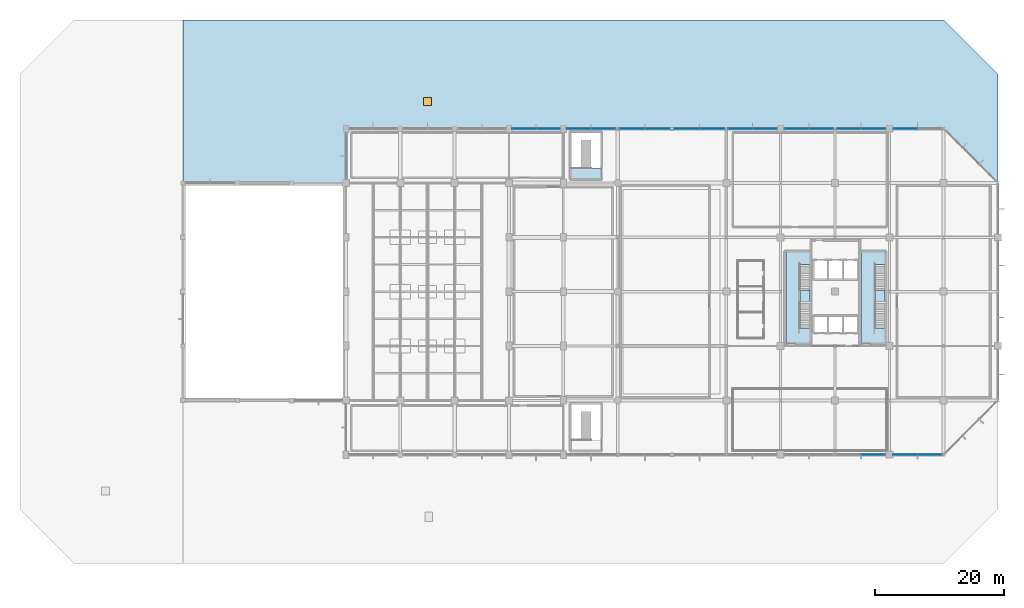
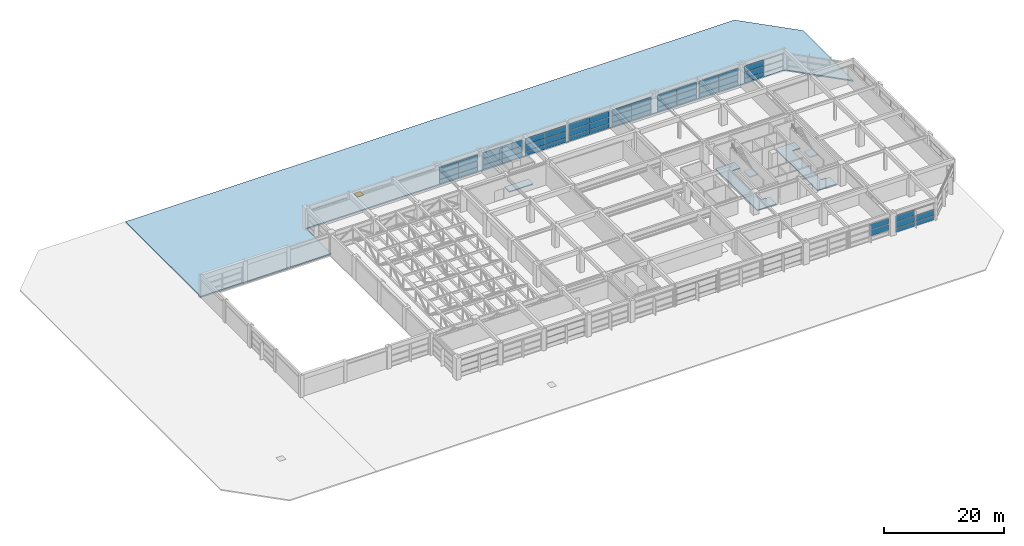
# One storey, part 38 of 47: 52 plates, 6 slabs, 1 door, 1 opening, 12 elements without a shape of their own.
"""IFC4 building model written with IfcOpenShell, lengths in metres."""

from ifc_helpers import new_model, si_unit, direction, frame, origin, origin_2d, place, context, subcontext, project, spatial, polyline, rectangle, outline, extrude, material, layer, layer_set, type_object, element, fill, aggregate, save


model = new_model("IFC4")

# Units and contexts
model_context = context("Model", 3, precision=1e-05, world=origin(), true_north=direction((0.0, 1.0)))
body_context = subcontext(model_context, "Body", "Model", "MODEL_VIEW")
ifc_project = project(units=[si_unit("LENGTHUNIT", "METRE"), si_unit("AREAUNIT", "SQUARE_METRE"), si_unit("VOLUMEUNIT", "CUBIC_METRE"), si_unit("PLANEANGLEUNIT", "RADIAN"), si_unit("MASSUNIT", "GRAM", prefix="KILO")], contexts=[model_context])

# Site, building, storey
site_placement = place(None, origin())
site = spatial("IfcSite", under=ifc_project, at=site_placement, CompositionType="ELEMENT")
building_placement = place(site_placement, origin())
building = spatial("IfcBuilding", under=site, at=building_placement, Name="Xuanlan Plaza Opera House", CompositionType="ELEMENT")
storey_placement = place(building_placement, frame((0.0, 0.0, 23.39990234375)))
storey = spatial("IfcBuildingStorey", under=building, at=storey_placement, Name="L05", CompositionType="ELEMENT", Elevation=23.39990234375)

# Curtain wall, plates
ifc_material_1 = material(Name="Anodised Aluminium 6063-T6 and Low-E Glass", Category="aluminium")
curtain_wall_type_1 = type_object("IfcCurtainWallType", Name="ENV-CW-CW-02", PredefinedType="USERDEFINED", material=ifc_material_1)
curtain_wall_1_placement = place(storey_placement, origin())
curtain_wall_1 = element("IfcCurtainWall", 1, at=curtain_wall_1_placement, inside=storey, type_object=curtain_wall_type_1, Name="Unitised Curtain Wall L05-023", ObjectType="UNITISED CURTAIN WALL", PredefinedType="USERDEFINED")
ifc_material_2 = material(Name="Laminated Acoustic Double Glazing", Category="glass")
ifc_layer_1 = layer(ifc_material_2, 0.028076171875)
ifc_layer_set_1 = layer_set([ifc_layer_1], Name="Laminated Acoustic Double Glazing")
plate_type_1 = type_object("IfcPlateType", Name="ENV-CWP-01", PredefinedType="CURTAIN_PANEL", material=ifc_layer_set_1)
plate_1_placement = place(storey_placement, frame((148.705078125, 84.0, 0.0751953125), z_axis=(0.0, 0.0, 1.0), x_axis=(-1.0, 0.0, 0.0)))
plate_1 = element("IfcPlate", 2, at=plate_1_placement, type_object=plate_type_1, Name="CW-02 panel 1.1", PredefinedType="CURTAIN_PANEL", context=body_context, shape_type="SweptSolid", body=[
    extrude(rectangle(XDim=3.669921875, YDim=0.028076171875, at=origin_2d()), origin(), (0.0, 0.0, 1.0), 0.83740234375),
])
plate_2_placement = place(storey_placement, frame((148.705078125, 84.0, 0.987548828125), z_axis=(0.0, 0.0, 1.0), x_axis=(-1.0, 0.0, 0.0)))
plate_2 = element("IfcPlate", 3, at=plate_2_placement, type_object=plate_type_1, Name="CW-02 panel 1.2", PredefinedType="CURTAIN_PANEL", context=body_context, shape_type="SweptSolid", body=[
    extrude(rectangle(XDim=3.669921875, YDim=0.028076171875, at=origin_2d()), origin(), (0.0, 0.0, 1.0), 1.22509765625),
])
plate_3_placement = place(storey_placement, frame((148.705078125, 84.0, 2.28759765625), z_axis=(0.0, 0.0, 1.0), x_axis=(-1.0, 0.0, 0.0)))
plate_3 = element("IfcPlate", 4, at=plate_3_placement, type_object=plate_type_1, Name="CW-02 panel 1.3", PredefinedType="CURTAIN_PANEL", context=body_context, shape_type="SweptSolid", body=[
    extrude(rectangle(XDim=3.669921875, YDim=0.028076171875, at=origin_2d()), origin(), (0.0, 0.0, 1.0), 1.177490234375),
])
plate_4_placement = place(storey_placement, frame((144.945068359375, 84.0, 0.0751953125), z_axis=(0.0, 0.0, 1.0), x_axis=(-1.0, 0.0, 0.0)))
plate_4 = element("IfcPlate", 5, at=plate_4_placement, type_object=plate_type_1, Name="CW-02 panel 2.1", PredefinedType="CURTAIN_PANEL", context=body_context, shape_type="SweptSolid", body=[
    extrude(rectangle(XDim=3.669921875, YDim=0.028076171875, at=origin_2d()), origin(), (0.0, 0.0, 1.0), 0.83740234375),
])
plate_5_placement = place(storey_placement, frame((144.945068359375, 84.0, 0.987548828125), z_axis=(0.0, 0.0, 1.0), x_axis=(-1.0, 0.0, 0.0)))
plate_5 = element("IfcPlate", 6, at=plate_5_placement, type_object=plate_type_1, Name="CW-02 panel 2.2", PredefinedType="CURTAIN_PANEL", context=body_context, shape_type="SweptSolid", body=[
    extrude(rectangle(XDim=3.669921875, YDim=0.028076171875, at=origin_2d()), origin(), (0.0, 0.0, 1.0), 1.22509765625),
])
plate_6_placement = place(storey_placement, frame((144.945068359375, 84.0, 2.28759765625), z_axis=(0.0, 0.0, 1.0), x_axis=(-1.0, 0.0, 0.0)))
plate_6 = element("IfcPlate", 7, at=plate_6_placement, type_object=plate_type_1, Name="CW-02 panel 2.3", PredefinedType="CURTAIN_PANEL", context=body_context, shape_type="SweptSolid", body=[
    extrude(rectangle(XDim=3.669921875, YDim=0.028076171875, at=origin_2d()), origin(), (0.0, 0.0, 1.0), 1.177490234375),
])
aggregate(curtain_wall_1, [plate_1, plate_2, plate_3, plate_4, plate_5, plate_6])

curtain_wall_type_2 = type_object("IfcCurtainWallType", Name="ENV-CW-CW-05", PredefinedType="USERDEFINED", material=ifc_material_1)
curtain_wall_2_placement = place(storey_placement, origin())
curtain_wall_2 = element("IfcCurtainWall", 8, at=curtain_wall_2_placement, inside=storey, type_object=curtain_wall_type_2, Name="Acoustic Glazed Wall L05-028", ObjectType="ACOUSTIC GLAZED WALL", PredefinedType="USERDEFINED")
plate_7_placement = place(storey_placement, frame((106.989501953125, 84.0, 0.0751953125), z_axis=(0.0, 0.0, 1.0), x_axis=(-1.0, 0.0, 0.0)))
plate_7 = element("IfcPlate", 9, at=plate_7_placement, type_object=plate_type_1, Name="CW-05 panel 1.1", PredefinedType="CURTAIN_PANEL", context=body_context, shape_type="SweptSolid", body=[
    extrude(rectangle(XDim=3.693115234375, YDim=0.028076171875, at=origin_2d()), origin(), (0.0, 0.0, 1.0), 0.83740234375),
])
plate_8_placement = place(storey_placement, frame((106.989501953125, 84.0, 0.987548828125), z_axis=(0.0, 0.0, 1.0), x_axis=(-1.0, 0.0, 0.0)))
plate_8 = element("IfcPlate", 10, at=plate_8_placement, type_object=plate_type_1, Name="CW-05 panel 1.2", PredefinedType="CURTAIN_PANEL", context=body_context, shape_type="SweptSolid", body=[
    extrude(rectangle(XDim=3.693115234375, YDim=0.028076171875, at=origin_2d()), origin(), (0.0, 0.0, 1.0), 1.22509765625),
])
plate_9_placement = place(storey_placement, frame((106.989501953125, 84.0, 2.28759765625), z_axis=(0.0, 0.0, 1.0), x_axis=(-1.0, 0.0, 0.0)))
plate_9 = element("IfcPlate", 11, at=plate_9_placement, type_object=plate_type_1, Name="CW-05 panel 1.3", PredefinedType="CURTAIN_PANEL", context=body_context, shape_type="SweptSolid", body=[
    extrude(rectangle(XDim=3.693115234375, YDim=0.028076171875, at=origin_2d()), origin(), (0.0, 0.0, 1.0), 1.177490234375),
])
plate_10_placement = place(storey_placement, frame((103.20654296875, 84.0, 0.0751953125), z_axis=(0.0, 0.0, 1.0), x_axis=(-1.0, 0.0, 0.0)))
plate_10 = element("IfcPlate", 12, at=plate_10_placement, type_object=plate_type_1, Name="CW-05 panel 2.1", PredefinedType="CURTAIN_PANEL", context=body_context, shape_type="SweptSolid", body=[
    extrude(rectangle(XDim=3.693115234375, YDim=0.028076171875, at=origin_2d()), origin(), (0.0, 0.0, 1.0), 0.83740234375),
])
plate_11_placement = place(storey_placement, frame((103.20654296875, 84.0, 0.987548828125), z_axis=(0.0, 0.0, 1.0), x_axis=(-1.0, 0.0, 0.0)))
plate_11 = element("IfcPlate", 13, at=plate_11_placement, type_object=plate_type_1, Name="CW-05 panel 2.2", PredefinedType="CURTAIN_PANEL", context=body_context, shape_type="SweptSolid", body=[
    extrude(rectangle(XDim=3.693115234375, YDim=0.028076171875, at=origin_2d()), origin(), (0.0, 0.0, 1.0), 1.22509765625),
])
plate_12_placement = place(storey_placement, frame((103.20654296875, 84.0, 2.28759765625), z_axis=(0.0, 0.0, 1.0), x_axis=(-1.0, 0.0, 0.0)))
plate_12 = element("IfcPlate", 14, at=plate_12_placement, type_object=plate_type_1, Name="CW-05 panel 2.3", PredefinedType="CURTAIN_PANEL", context=body_context, shape_type="SweptSolid", body=[
    extrude(rectangle(XDim=3.693115234375, YDim=0.028076171875, at=origin_2d()), origin(), (0.0, 0.0, 1.0), 1.177490234375),
])
aggregate(curtain_wall_2, [plate_7, plate_8, plate_9, plate_10, plate_11, plate_12])

curtain_wall_3_placement = place(storey_placement, origin())
curtain_wall_3 = element("IfcCurtainWall", 15, at=curtain_wall_3_placement, inside=storey, type_object=curtain_wall_type_1, Name="Unitised Curtain Wall L05-015", ObjectType="UNITISED CURTAIN WALL", PredefinedType="USERDEFINED")
ifc_layer_2 = layer(ifc_material_2, 0.031982421875)
ifc_layer_set_2 = layer_set([ifc_layer_2], Name="Laminated Acoustic Double Glazing")
plate_type_2 = type_object("IfcPlateType", Name="ENV-CWP-02", PredefinedType="CURTAIN_PANEL", material=ifc_layer_set_2)
plate_13_placement = place(storey_placement, frame((153.68994140625, 33.60009765625, 0.0703125), z_axis=(0.0, 0.0, 1.0), x_axis=(1.0, 0.0, 0.0)))
plate_13 = element("IfcPlate", 16, at=plate_13_placement, type_object=plate_type_2, Name="CW-02 panel 1.1", PredefinedType="CURTAIN_PANEL", context=body_context, shape_type="SweptSolid", body=[
    extrude(rectangle(XDim=3.699951171875, YDim=0.031982421875, at=origin_2d()), origin(), (0.0, 0.0, 1.0), 0.844970703125),
])
plate_14_placement = place(storey_placement, frame((153.68994140625, 33.60009765625, 0.985107421875), z_axis=(0.0, 0.0, 1.0), x_axis=(1.0, 0.0, 0.0)))
plate_14 = element("IfcPlate", 17, at=plate_14_placement, type_object=plate_type_2, Name="CW-02 panel 1.2", PredefinedType="CURTAIN_PANEL", context=body_context, shape_type="SweptSolid", body=[
    extrude(rectangle(XDim=3.699951171875, YDim=0.031982421875, at=origin_2d()), origin(), (0.0, 0.0, 1.0), 1.22998046875),
])
plate_15_placement = place(storey_placement, frame((153.68994140625, 33.60009765625, 2.28515625), z_axis=(0.0, 0.0, 1.0), x_axis=(1.0, 0.0, 0.0)))
plate_15 = element("IfcPlate", 18, at=plate_15_placement, type_object=plate_type_2, Name="CW-02 panel 1.3", PredefinedType="CURTAIN_PANEL", context=body_context, shape_type="SweptSolid", body=[
    extrude(rectangle(XDim=3.699951171875, YDim=0.031982421875, at=origin_2d()), origin(), (0.0, 0.0, 1.0), 1.18505859375),
])
plate_16_placement = place(storey_placement, frame((157.4599609375, 33.60009765625, 0.0703125), z_axis=(0.0, 0.0, 1.0), x_axis=(1.0, 0.0, 0.0)))
plate_16 = element("IfcPlate", 19, at=plate_16_placement, type_object=plate_type_2, Name="CW-02 panel 2.1", PredefinedType="CURTAIN_PANEL", context=body_context, shape_type="SweptSolid", body=[
    extrude(rectangle(XDim=3.699951171875, YDim=0.031982421875, at=origin_2d()), origin(), (0.0, 0.0, 1.0), 0.844970703125),
])
plate_17_placement = place(storey_placement, frame((157.4599609375, 33.60009765625, 0.985107421875), z_axis=(0.0, 0.0, 1.0), x_axis=(1.0, 0.0, 0.0)))
plate_17 = element("IfcPlate", 20, at=plate_17_placement, type_object=plate_type_2, Name="CW-02 panel 2.2", PredefinedType="CURTAIN_PANEL", context=body_context, shape_type="SweptSolid", body=[
    extrude(rectangle(XDim=3.699951171875, YDim=0.031982421875, at=origin_2d()), origin(), (0.0, 0.0, 1.0), 1.22998046875),
])
aggregate(curtain_wall_3, [plate_13, plate_14, plate_15, plate_16, plate_17])

curtain_wall_type_3 = type_object("IfcCurtainWallType", Name="ENV-CW-CW-06", PredefinedType="USERDEFINED", material=ifc_material_1)
curtain_wall_4_placement = place(storey_placement, origin())
curtain_wall_4 = element("IfcCurtainWall", 21, at=curtain_wall_4_placement, inside=storey, type_object=curtain_wall_type_3, Name="Acoustic Glazed Wall L05-025", ObjectType="ACOUSTIC GLAZED WALL", PredefinedType="USERDEFINED")
plate_18_placement = place(storey_placement, frame((131.909912109375, 84.0, 0.0703125), z_axis=(0.0, 0.0, 1.0), x_axis=(-1.0, 0.0, 0.0)))
plate_18 = element("IfcPlate", 22, at=plate_18_placement, type_object=plate_type_2, Name="CW-06 panel 1.1", PredefinedType="CURTAIN_PANEL", context=body_context, shape_type="SweptSolid", body=[
    extrude(rectangle(XDim=3.699951171875, YDim=0.031982421875, at=origin_2d()), origin(), (0.0, 0.0, 1.0), 0.844970703125),
])
plate_19_placement = place(storey_placement, frame((131.909912109375, 84.0, 0.985107421875), z_axis=(0.0, 0.0, 1.0), x_axis=(-1.0, 0.0, 0.0)))
plate_19 = element("IfcPlate", 23, at=plate_19_placement, type_object=plate_type_2, Name="CW-06 panel 1.2", PredefinedType="CURTAIN_PANEL", context=body_context, shape_type="SweptSolid", body=[
    extrude(rectangle(XDim=3.699951171875, YDim=0.031982421875, at=origin_2d()), origin(), (0.0, 0.0, 1.0), 1.22998046875),
])
plate_20_placement = place(storey_placement, frame((131.909912109375, 84.0, 2.28515625), z_axis=(0.0, 0.0, 1.0), x_axis=(-1.0, 0.0, 0.0)))
plate_20 = element("IfcPlate", 24, at=plate_20_placement, type_object=plate_type_2, Name="CW-06 panel 1.3", PredefinedType="CURTAIN_PANEL", context=body_context, shape_type="SweptSolid", body=[
    extrude(rectangle(XDim=3.699951171875, YDim=0.031982421875, at=origin_2d()), origin(), (0.0, 0.0, 1.0), 1.18505859375),
])
plate_21_placement = place(storey_placement, frame((128.139892578125, 84.0, 0.0703125), z_axis=(0.0, 0.0, 1.0), x_axis=(-1.0, 0.0, 0.0)))
plate_21 = element("IfcPlate", 25, at=plate_21_placement, type_object=plate_type_2, Name="CW-06 panel 2.1", PredefinedType="CURTAIN_PANEL", context=body_context, shape_type="SweptSolid", body=[
    extrude(rectangle(XDim=3.699951171875, YDim=0.031982421875, at=origin_2d()), origin(), (0.0, 0.0, 1.0), 0.844970703125),
])
plate_22_placement = place(storey_placement, frame((128.139892578125, 84.0, 0.985107421875), z_axis=(0.0, 0.0, 1.0), x_axis=(-1.0, 0.0, 0.0)))
plate_22 = element("IfcPlate", 26, at=plate_22_placement, type_object=plate_type_2, Name="CW-06 panel 2.2", PredefinedType="CURTAIN_PANEL", context=body_context, shape_type="SweptSolid", body=[
    extrude(rectangle(XDim=3.699951171875, YDim=0.031982421875, at=origin_2d()), origin(), (0.0, 0.0, 1.0), 1.22998046875),
])
plate_23_placement = place(storey_placement, frame((128.139892578125, 84.0, 2.28515625), z_axis=(0.0, 0.0, 1.0), x_axis=(-1.0, 0.0, 0.0)))
plate_23 = element("IfcPlate", 27, at=plate_23_placement, type_object=plate_type_2, Name="CW-06 panel 2.3", PredefinedType="CURTAIN_PANEL", context=body_context, shape_type="SweptSolid", body=[
    extrude(rectangle(XDim=3.699951171875, YDim=0.031982421875, at=origin_2d()), origin(), (0.0, 0.0, 1.0), 1.18505859375),
])
aggregate(curtain_wall_4, [plate_18, plate_19, plate_20, plate_21, plate_22, plate_23])

curtain_wall_type_4 = type_object("IfcCurtainWallType", Name="ENV-CW-CW-01", PredefinedType="USERDEFINED", material=ifc_material_1)
curtain_wall_5_placement = place(storey_placement, origin())
curtain_wall_5 = element("IfcCurtainWall", 28, at=curtain_wall_5_placement, inside=storey, type_object=curtain_wall_type_4, Name="Unitised Curtain Wall L05-022", ObjectType="UNITISED CURTAIN WALL", PredefinedType="USERDEFINED")
ifc_layer_3 = layer(ifc_material_2, 0.035888671875)
ifc_layer_set_3 = layer_set([ifc_layer_3], Name="Laminated Acoustic Double Glazing")
plate_type_3 = type_object("IfcPlateType", Name="ENV-CWP-03", PredefinedType="CURTAIN_PANEL", material=ifc_layer_set_3)
plate_24_placement = place(storey_placement, frame((153.6923828125, 84.0, 0.065185546875), z_axis=(0.0, 0.0, 1.0), x_axis=(-1.0, 0.0, 0.0)))
plate_24 = element("IfcPlate", 29, at=plate_24_placement, type_object=plate_type_3, Name="CW-01 panel 2.1", PredefinedType="CURTAIN_PANEL", context=body_context, shape_type="SweptSolid", body=[
    extrude(rectangle(XDim=3.68505859375, YDim=0.035888671875, at=origin_2d()), origin(), (0.0, 0.0, 1.0), 0.8525390625),
])
plate_25_placement = place(storey_placement, frame((153.6923828125, 84.0, 0.982421875), z_axis=(0.0, 0.0, 1.0), x_axis=(-1.0, 0.0, 0.0)))
plate_25 = element("IfcPlate", 30, at=plate_25_placement, type_object=plate_type_3, Name="CW-01 panel 2.2", PredefinedType="CURTAIN_PANEL", context=body_context, shape_type="SweptSolid", body=[
    extrude(rectangle(XDim=3.68505859375, YDim=0.035888671875, at=origin_2d()), origin(), (0.0, 0.0, 1.0), 1.235107421875),
])
plate_26_placement = place(storey_placement, frame((153.6923828125, 84.0, 2.28271484375), z_axis=(0.0, 0.0, 1.0), x_axis=(-1.0, 0.0, 0.0)))
plate_26 = element("IfcPlate", 31, at=plate_26_placement, type_object=plate_type_3, Name="CW-01 panel 2.3", PredefinedType="CURTAIN_PANEL", context=body_context, shape_type="SweptSolid", body=[
    extrude(rectangle(XDim=3.68505859375, YDim=0.035888671875, at=origin_2d()), origin(), (0.0, 0.0, 1.0), 1.1923828125),
])
aggregate(curtain_wall_5, [plate_24, plate_25, plate_26])

curtain_wall_6_placement = place(storey_placement, origin())
curtain_wall_6 = element("IfcCurtainWall", 32, at=curtain_wall_6_placement, inside=storey, type_object=curtain_wall_type_3, Name="Acoustic Glazed Wall L05-027", ObjectType="ACOUSTIC GLAZED WALL", PredefinedType="USERDEFINED")
plate_27_placement = place(storey_placement, frame((115.343017578125, 84.0, 0.065185546875), z_axis=(0.0, 0.0, 1.0), x_axis=(-1.0, 0.0, 0.0)))
plate_27 = element("IfcPlate", 33, at=plate_27_placement, type_object=plate_type_3, Name="CW-06 panel 1.1", PredefinedType="CURTAIN_PANEL", context=body_context, shape_type="SweptSolid", body=[
    extrude(rectangle(XDim=3.805908203125, YDim=0.035888671875, at=origin_2d()), origin(), (0.0, 0.0, 1.0), 0.8525390625),
])
plate_28_placement = place(storey_placement, frame((115.343017578125, 84.0, 0.982421875), z_axis=(0.0, 0.0, 1.0), x_axis=(-1.0, 0.0, 0.0)))
plate_28 = element("IfcPlate", 34, at=plate_28_placement, type_object=plate_type_3, Name="CW-06 panel 1.2", PredefinedType="CURTAIN_PANEL", context=body_context, shape_type="SweptSolid", body=[
    extrude(rectangle(XDim=3.805908203125, YDim=0.035888671875, at=origin_2d()), origin(), (0.0, 0.0, 1.0), 1.235107421875),
])
plate_29_placement = place(storey_placement, frame((115.343017578125, 84.0, 2.28271484375), z_axis=(0.0, 0.0, 1.0), x_axis=(-1.0, 0.0, 0.0)))
plate_29 = element("IfcPlate", 35, at=plate_29_placement, type_object=plate_type_3, Name="CW-06 panel 1.3", PredefinedType="CURTAIN_PANEL", context=body_context, shape_type="SweptSolid", body=[
    extrude(rectangle(XDim=3.805908203125, YDim=0.035888671875, at=origin_2d()), origin(), (0.0, 0.0, 1.0), 1.1923828125),
])
plate_30_placement = place(storey_placement, frame((111.45703125, 84.0, 0.065185546875), z_axis=(0.0, 0.0, 1.0), x_axis=(-1.0, 0.0, 0.0)))
plate_30 = element("IfcPlate", 36, at=plate_30_placement, type_object=plate_type_3, Name="CW-06 panel 2.1", PredefinedType="CURTAIN_PANEL", context=body_context, shape_type="SweptSolid", body=[
    extrude(rectangle(XDim=3.805908203125, YDim=0.035888671875, at=origin_2d()), origin(), (0.0, 0.0, 1.0), 0.8525390625),
])
plate_31_placement = place(storey_placement, frame((111.45703125, 84.0, 0.982421875), z_axis=(0.0, 0.0, 1.0), x_axis=(-1.0, 0.0, 0.0)))
plate_31 = element("IfcPlate", 37, at=plate_31_placement, type_object=plate_type_3, Name="CW-06 panel 2.2", PredefinedType="CURTAIN_PANEL", context=body_context, shape_type="SweptSolid", body=[
    extrude(rectangle(XDim=3.805908203125, YDim=0.035888671875, at=origin_2d()), origin(), (0.0, 0.0, 1.0), 1.235107421875),
])
plate_32_placement = place(storey_placement, frame((111.45703125, 84.0, 2.28271484375), z_axis=(0.0, 0.0, 1.0), x_axis=(-1.0, 0.0, 0.0)))
plate_32 = element("IfcPlate", 38, at=plate_32_placement, type_object=plate_type_3, Name="CW-06 panel 2.3", PredefinedType="CURTAIN_PANEL", context=body_context, shape_type="SweptSolid", body=[
    extrude(rectangle(XDim=3.805908203125, YDim=0.035888671875, at=origin_2d()), origin(), (0.0, 0.0, 1.0), 1.1923828125),
])
aggregate(curtain_wall_6, [plate_27, plate_28, plate_29, plate_30, plate_31, plate_32])

curtain_wall_7_placement = place(storey_placement, origin())
curtain_wall_7 = element("IfcCurtainWall", 39, at=curtain_wall_7_placement, inside=storey, type_object=curtain_wall_type_4, Name="Unitised Curtain Wall L05-014", ObjectType="UNITISED CURTAIN WALL", PredefinedType="USERDEFINED")
ifc_layer_4 = layer(ifc_material_2, 0.0400390625)
ifc_layer_set_4 = layer_set([ifc_layer_4], Name="Laminated Acoustic Double Glazing")
plate_type_4 = type_object("IfcPlateType", Name="ENV-CWP-04", PredefinedType="CURTAIN_PANEL", material=ifc_layer_set_4)
plate_33_placement = place(storey_placement, frame((148.711181640625, 33.60009765625, 0.9951171875), z_axis=(0.0, 0.0, 1.0), x_axis=(1.0, 0.0, 0.0)))
plate_33 = element("IfcPlate", 40, at=plate_33_placement, type_object=plate_type_4, Name="CW-01 panel 2.2", PredefinedType="CURTAIN_PANEL", context=body_context, shape_type="SweptSolid", body=[
    extrude(rectangle(XDim=3.70751953125, YDim=0.0400390625, at=origin_2d()), origin(), (0.0, 0.0, 1.0), 1.2099609375),
])
plate_34_placement = place(storey_placement, frame((148.711181640625, 33.60009765625, 2.294921875), z_axis=(0.0, 0.0, 1.0), x_axis=(1.0, 0.0, 0.0)))
plate_34 = element("IfcPlate", 41, at=plate_34_placement, type_object=plate_type_4, Name="CW-01 panel 2.3", PredefinedType="CURTAIN_PANEL", context=body_context, shape_type="SweptSolid", body=[
    extrude(rectangle(XDim=3.70751953125, YDim=0.0400390625, at=origin_2d()), origin(), (0.0, 0.0, 1.0), 1.155029296875),
])
aggregate(curtain_wall_7, [plate_33, plate_34])

curtain_wall_type_5 = type_object("IfcCurtainWallType", Name="ENV-CW-CW-03", PredefinedType="USERDEFINED", material=ifc_material_1)
curtain_wall_8_placement = place(storey_placement, origin())
curtain_wall_8 = element("IfcCurtainWall", 42, at=curtain_wall_8_placement, inside=storey, type_object=curtain_wall_type_5, Name="Unitised Curtain Wall L05-024", ObjectType="UNITISED CURTAIN WALL", PredefinedType="USERDEFINED")
plate_35_placement = place(storey_placement, frame((140.6611328125, 84.0, 0.090087890625), z_axis=(0.0, 0.0, 1.0), x_axis=(-1.0, 0.0, 0.0)))
plate_35 = element("IfcPlate", 43, at=plate_35_placement, type_object=plate_type_4, Name="CW-03 panel 1.1", PredefinedType="CURTAIN_PANEL", context=body_context, shape_type="SweptSolid", body=[
    extrude(rectangle(XDim=3.70751953125, YDim=0.0400390625, at=origin_2d()), origin(), (0.0, 0.0, 1.0), 0.81494140625),
])
plate_36_placement = place(storey_placement, frame((140.6611328125, 84.0, 0.9951171875), z_axis=(0.0, 0.0, 1.0), x_axis=(-1.0, 0.0, 0.0)))
plate_36 = element("IfcPlate", 44, at=plate_36_placement, type_object=plate_type_4, Name="CW-03 panel 1.2", PredefinedType="CURTAIN_PANEL", context=body_context, shape_type="SweptSolid", body=[
    extrude(rectangle(XDim=3.70751953125, YDim=0.0400390625, at=origin_2d()), origin(), (0.0, 0.0, 1.0), 1.2099609375),
])
plate_37_placement = place(storey_placement, frame((140.6611328125, 84.0, 2.294921875), z_axis=(0.0, 0.0, 1.0), x_axis=(-1.0, 0.0, 0.0)))
plate_37 = element("IfcPlate", 45, at=plate_37_placement, type_object=plate_type_4, Name="CW-03 panel 1.3", PredefinedType="CURTAIN_PANEL", context=body_context, shape_type="SweptSolid", body=[
    extrude(rectangle(XDim=3.70751953125, YDim=0.0400390625, at=origin_2d()), origin(), (0.0, 0.0, 1.0), 1.155029296875),
])
plate_38_placement = place(storey_placement, frame((136.888671875, 84.0, 0.090087890625), z_axis=(0.0, 0.0, 1.0), x_axis=(-1.0, 0.0, 0.0)))
plate_38 = element("IfcPlate", 46, at=plate_38_placement, type_object=plate_type_4, Name="CW-03 panel 2.1", PredefinedType="CURTAIN_PANEL", context=body_context, shape_type="SweptSolid", body=[
    extrude(rectangle(XDim=3.70751953125, YDim=0.0400390625, at=origin_2d()), origin(), (0.0, 0.0, 1.0), 0.81494140625),
])
plate_39_placement = place(storey_placement, frame((136.888671875, 84.0, 0.9951171875), z_axis=(0.0, 0.0, 1.0), x_axis=(-1.0, 0.0, 0.0)))
plate_39 = element("IfcPlate", 47, at=plate_39_placement, type_object=plate_type_4, Name="CW-03 panel 2.2", PredefinedType="CURTAIN_PANEL", context=body_context, shape_type="SweptSolid", body=[
    extrude(rectangle(XDim=3.70751953125, YDim=0.0400390625, at=origin_2d()), origin(), (0.0, 0.0, 1.0), 1.2099609375),
])
plate_40_placement = place(storey_placement, frame((136.888671875, 84.0, 2.294921875), z_axis=(0.0, 0.0, 1.0), x_axis=(-1.0, 0.0, 0.0)))
plate_40 = element("IfcPlate", 48, at=plate_40_placement, type_object=plate_type_4, Name="CW-03 panel 2.3", PredefinedType="CURTAIN_PANEL", context=body_context, shape_type="SweptSolid", body=[
    extrude(rectangle(XDim=3.70751953125, YDim=0.0400390625, at=origin_2d()), origin(), (0.0, 0.0, 1.0), 1.155029296875),
])
aggregate(curtain_wall_8, [plate_35, plate_36, plate_37, plate_38, plate_39, plate_40])

curtain_wall_9_placement = place(storey_placement, origin())
curtain_wall_9 = element("IfcCurtainWall", 49, at=curtain_wall_9_placement, inside=storey, type_object=curtain_wall_type_3, Name="Acoustic Glazed Wall L05-029", ObjectType="ACOUSTIC GLAZED WALL", PredefinedType="USERDEFINED")
plate_41_placement = place(storey_placement, frame((98.44873046875, 84.0, 0.090087890625), z_axis=(0.0, 0.0, 1.0), x_axis=(-1.0, 0.0, 0.0)))
plate_41 = element("IfcPlate", 50, at=plate_41_placement, type_object=plate_type_4, Name="CW-06 panel 1.1", PredefinedType="CURTAIN_PANEL", context=body_context, shape_type="SweptSolid", body=[
    extrude(rectangle(XDim=3.632568359375, YDim=0.0400390625, at=origin_2d()), origin(), (0.0, 0.0, 1.0), 0.81494140625),
])
plate_42_placement = place(storey_placement, frame((98.44873046875, 84.0, 0.9951171875), z_axis=(0.0, 0.0, 1.0), x_axis=(-1.0, 0.0, 0.0)))
plate_42 = element("IfcPlate", 51, at=plate_42_placement, type_object=plate_type_4, Name="CW-06 panel 1.2", PredefinedType="CURTAIN_PANEL", context=body_context, shape_type="SweptSolid", body=[
    extrude(rectangle(XDim=3.632568359375, YDim=0.0400390625, at=origin_2d()), origin(), (0.0, 0.0, 1.0), 1.2099609375),
])
plate_43_placement = place(storey_placement, frame((98.44873046875, 84.0, 2.294921875), z_axis=(0.0, 0.0, 1.0), x_axis=(-1.0, 0.0, 0.0)))
plate_43 = element("IfcPlate", 52, at=plate_43_placement, type_object=plate_type_4, Name="CW-06 panel 1.3", PredefinedType="CURTAIN_PANEL", context=body_context, shape_type="SweptSolid", body=[
    extrude(rectangle(XDim=3.632568359375, YDim=0.0400390625, at=origin_2d()), origin(), (0.0, 0.0, 1.0), 1.155029296875),
])
plate_44_placement = place(storey_placement, frame((94.751220703125, 84.0, 0.090087890625), z_axis=(0.0, 0.0, 1.0), x_axis=(-1.0, 0.0, 0.0)))
plate_44 = element("IfcPlate", 53, at=plate_44_placement, type_object=plate_type_4, Name="CW-06 panel 2.1", PredefinedType="CURTAIN_PANEL", context=body_context, shape_type="SweptSolid", body=[
    extrude(rectangle(XDim=3.632568359375, YDim=0.0400390625, at=origin_2d()), origin(), (0.0, 0.0, 1.0), 0.81494140625),
])
plate_45_placement = place(storey_placement, frame((94.751220703125, 84.0, 0.9951171875), z_axis=(0.0, 0.0, 1.0), x_axis=(-1.0, 0.0, 0.0)))
plate_45 = element("IfcPlate", 54, at=plate_45_placement, type_object=plate_type_4, Name="CW-06 panel 2.2", PredefinedType="CURTAIN_PANEL", context=body_context, shape_type="SweptSolid", body=[
    extrude(rectangle(XDim=3.632568359375, YDim=0.0400390625, at=origin_2d()), origin(), (0.0, 0.0, 1.0), 1.2099609375),
])
plate_46_placement = place(storey_placement, frame((94.751220703125, 84.0, 2.294921875), z_axis=(0.0, 0.0, 1.0), x_axis=(-1.0, 0.0, 0.0)))
plate_46 = element("IfcPlate", 55, at=plate_46_placement, type_object=plate_type_4, Name="CW-06 panel 2.3", PredefinedType="CURTAIN_PANEL", context=body_context, shape_type="SweptSolid", body=[
    extrude(rectangle(XDim=3.632568359375, YDim=0.0400390625, at=origin_2d()), origin(), (0.0, 0.0, 1.0), 1.155029296875),
])
aggregate(curtain_wall_9, [plate_41, plate_42, plate_43, plate_44, plate_45, plate_46])

curtain_wall_10_placement = place(storey_placement, origin())
curtain_wall_10 = element("IfcCurtainWall", 56, at=curtain_wall_10_placement, inside=storey, type_object=curtain_wall_type_2, Name="Acoustic Glazed Wall L05-026", ObjectType="ACOUSTIC GLAZED WALL", PredefinedType="USERDEFINED")
ifc_layer_5 = layer(ifc_material_2, 0.0439453125)
ifc_layer_set_5 = layer_set([ifc_layer_5], Name="Laminated Acoustic Double Glazing")
plate_type_5 = type_object("IfcPlateType", Name="ENV-CWP-05", PredefinedType="CURTAIN_PANEL", material=ifc_layer_set_5)
plate_47_placement = place(storey_placement, frame((123.78466796875, 84.0, 0.080078125), z_axis=(0.0, 0.0, 1.0), x_axis=(-1.0, 0.0, 0.0)))
plate_47 = element("IfcPlate", 57, at=plate_47_placement, type_object=plate_type_5, Name="CW-05 panel 1.1", PredefinedType="CURTAIN_PANEL", context=body_context, shape_type="SweptSolid", body=[
    extrude(rectangle(XDim=3.840576171875, YDim=0.0439453125, at=origin_2d()), origin(), (0.0, 0.0, 1.0), 0.830078125),
])
plate_48_placement = place(storey_placement, frame((123.78466796875, 84.0, 0.990234375), z_axis=(0.0, 0.0, 1.0), x_axis=(-1.0, 0.0, 0.0)))
plate_48 = element("IfcPlate", 58, at=plate_48_placement, type_object=plate_type_5, Name="CW-05 panel 1.2", PredefinedType="CURTAIN_PANEL", context=body_context, shape_type="SweptSolid", body=[
    extrude(rectangle(XDim=3.840576171875, YDim=0.0439453125, at=origin_2d()), origin(), (0.0, 0.0, 1.0), 1.219970703125),
])
plate_49_placement = place(storey_placement, frame((123.78466796875, 84.0, 2.2900390625), z_axis=(0.0, 0.0, 1.0), x_axis=(-1.0, 0.0, 0.0)))
plate_49 = element("IfcPlate", 59, at=plate_49_placement, type_object=plate_type_5, Name="CW-05 panel 1.3", PredefinedType="CURTAIN_PANEL", context=body_context, shape_type="SweptSolid", body=[
    extrude(rectangle(XDim=3.840576171875, YDim=0.0439453125, at=origin_2d()), origin(), (0.0, 0.0, 1.0), 1.169921875),
])
plate_50_placement = place(storey_placement, frame((119.869140625, 84.0, 0.080078125), z_axis=(0.0, 0.0, 1.0), x_axis=(-1.0, 0.0, 0.0)))
plate_50 = element("IfcPlate", 60, at=plate_50_placement, type_object=plate_type_5, Name="CW-05 panel 2.1", PredefinedType="CURTAIN_PANEL", context=body_context, shape_type="SweptSolid", body=[
    extrude(rectangle(XDim=3.840576171875, YDim=0.0439453125, at=origin_2d()), origin(), (0.0, 0.0, 1.0), 0.830078125),
])
plate_51_placement = place(storey_placement, frame((119.869140625, 84.0, 0.990234375), z_axis=(0.0, 0.0, 1.0), x_axis=(-1.0, 0.0, 0.0)))
plate_51 = element("IfcPlate", 61, at=plate_51_placement, type_object=plate_type_5, Name="CW-05 panel 2.2", PredefinedType="CURTAIN_PANEL", context=body_context, shape_type="SweptSolid", body=[
    extrude(rectangle(XDim=3.840576171875, YDim=0.0439453125, at=origin_2d()), origin(), (0.0, 0.0, 1.0), 1.219970703125),
])
plate_52_placement = place(storey_placement, frame((119.869140625, 84.0, 2.2900390625), z_axis=(0.0, 0.0, 1.0), x_axis=(-1.0, 0.0, 0.0)))
plate_52 = element("IfcPlate", 62, at=plate_52_placement, type_object=plate_type_5, Name="CW-05 panel 2.3", PredefinedType="CURTAIN_PANEL", context=body_context, shape_type="SweptSolid", body=[
    extrude(rectangle(XDim=3.840576171875, YDim=0.0439453125, at=origin_2d()), origin(), (0.0, 0.0, 1.0), 1.169921875),
])
aggregate(curtain_wall_10, [plate_47, plate_48, plate_49, plate_50, plate_51, plate_52])

# Slab
ifc_material_3 = material(Name="Concrete C40", Category="concrete")
ifc_layer_6 = layer(ifc_material_3, 0.18994140625)
ifc_layer_set_6 = layer_set([ifc_layer_6], Name="Concrete C40")
slab_type_1 = type_object("IfcSlabType", Name="INT-SLB-LND-19", PredefinedType="LANDING", material=ifc_layer_set_6)
slab_1_placement = place(storey_placement, frame((0.0, 0.0, -0.18994140625)))
element("IfcSlab", 63, at=slab_1_placement, inside=storey, type_object=slab_type_1, Name="Feature Stair Top Landing ST-F2 L05", PredefinedType="LANDING", context=body_context, shape_type="SweptSolid", body=[
    extrude(outline(polyline([(102.0, 76.300048828125), (106.60009765625, 76.300048828125), (106.60009765625, 77.905029296875), (102.0, 77.905029296875), (102.0, 76.300048828125)])), origin(), (0.0, 0.0, 1.0), 0.18994140625),
])

# Stair, slabs
stair_type = type_object("IfcStairType", Name="INT-ST-STR-T155", PredefinedType="STRAIGHT_RUN_STAIR", material=ifc_material_3)
stair_1_placement = place(storey_placement, origin())
stair_1 = element("IfcStair", 64, at=stair_1_placement, inside=storey, type_object=stair_type, Name="Protected Exit Stair ST-T1 L05", PredefinedType="STRAIGHT_RUN_STAIR")
ifc_layer_7 = layer(ifc_material_3, 0.199951171875)
ifc_layer_set_7 = layer_set([ifc_layer_7], Name="Concrete C40")
slab_type_2 = type_object("IfcSlabType", Name="INT-SLB-LND-20", PredefinedType="LANDING", material=ifc_layer_set_7)
slab_2_placement = place(storey_placement, frame((0.0, 0.0, 2.050048828125)))
slab_2 = element("IfcSlab", 65, at=slab_2_placement, type_object=slab_type_2, Name="ST-T1-L05 landing 1", PredefinedType="LANDING", context=body_context, shape_type="SweptSolid", body=[
    extrude(outline(polyline([(137.35009765625, 57.135009765625), (138.89990234375, 57.135009765625), (138.89990234375, 59.034912109375), (137.35009765625, 59.034912109375), (137.35009765625, 57.135009765625)])), origin(), (0.0, 0.0, 1.0), 0.199951171875),
])
slab_3_placement = place(storey_placement, frame((0.0, 0.0, -0.199951171875)))
slab_3 = element("IfcSlab", 66, at=slab_3_placement, type_object=slab_type_2, Name="ST-T1-L05 landing 2", PredefinedType="LANDING", context=body_context, shape_type="SweptSolid", body=[
    extrude(outline(polyline([(135.199951171875, 50.89990234375), (138.89990234375, 50.89990234375), (138.89990234375, 53.195068359375), (137.35009765625, 53.195068359375), (137.35009765625, 62.97509765625), (138.89990234375, 62.97509765625), (138.89990234375, 64.89990234375), (135.199951171875, 64.89990234375), (135.199951171875, 50.89990234375)])), origin(), (0.0, 0.0, 1.0), 0.199951171875),
])
aggregate(stair_1, [slab_2, slab_3])

stair_2_placement = place(storey_placement, origin())
stair_2 = element("IfcStair", 67, at=stair_2_placement, inside=storey, type_object=stair_type, Name="Protected Exit Stair ST-T2 L05", PredefinedType="STRAIGHT_RUN_STAIR")
slab_4_placement = place(storey_placement, frame((0.0, 0.0, 2.050048828125)))
slab_4 = element("IfcSlab", 68, at=slab_4_placement, type_object=slab_type_2, Name="ST-T2-L05 landing 1", PredefinedType="LANDING", context=body_context, shape_type="SweptSolid", body=[
    extrude(outline(polyline([(148.949951171875, 57.135009765625), (150.5, 57.135009765625), (150.5, 59.034912109375), (148.949951171875, 59.034912109375), (148.949951171875, 57.135009765625)])), origin(), (0.0, 0.0, 1.0), 0.199951171875),
])
slab_5_placement = place(storey_placement, frame((0.0, 0.0, -0.199951171875)))
slab_5 = element("IfcSlab", 69, at=slab_5_placement, type_object=slab_type_2, Name="ST-T2-L05 landing 2", PredefinedType="LANDING", context=body_context, shape_type="SweptSolid", body=[
    extrude(outline(polyline([(146.800048828125, 50.89990234375), (150.5, 50.89990234375), (150.5, 53.195068359375), (148.949951171875, 53.195068359375), (148.949951171875, 62.97509765625), (150.5, 62.97509765625), (150.5, 64.89990234375), (146.800048828125, 64.89990234375), (146.800048828125, 50.89990234375)])), origin(), (0.0, 0.0, 1.0), 0.199951171875),
])
aggregate(stair_2, [slab_4, slab_5])

# Slab, opening, door
ifc_layer_8 = layer(ifc_material_3, 0.25)
ifc_layer_set_8 = layer_set([ifc_layer_8], Name="Concrete C40")
slab_type_3 = type_object("IfcSlabType", Name="STR-SLB-RF-01", PredefinedType="ROOF", material=ifc_layer_set_8)
slab_6_placement = place(storey_placement, frame((0.0, 0.0, -0.25)))
slab_6 = element("IfcSlab", 70, at=slab_6_placement, inside=storey, type_object=slab_type_3, Name="North Side-Stage Maintenance Roof Slab", PredefinedType="ROOF", context=body_context, shape_type="SweptSolid", body=[
    extrude(outline(polyline([(42.0, 75.60009765625), (67.199951171875, 75.60009765625), (67.199951171875, 84.0), (159.60009765625, 84.0), (168.0, 75.60009765625), (168.0, 92.39990234375), (159.60009765625, 100.800048828125), (42.0, 100.800048828125), (42.0, 75.60009765625)]), holes=[polyline([(79.199951171875, 87.60009765625), (80.39990234375, 87.60009765625), (80.39990234375, 88.800048828125), (79.199951171875, 88.800048828125), (79.199951171875, 87.60009765625)])]), origin(), (0.0, 0.0, 1.0), 0.25),
])
opening_placement = place(slab_6_placement, frame((79.800048828125, 88.199951171875, 0.0)))
opening = element("IfcOpeningElement", 71, at=opening_placement, cuts=slab_6, Name="Opening HT-02", PredefinedType="OPENING", context=body_context, shape_type="SweptSolid", body=[
    extrude(rectangle(XDim=1.199951171875, YDim=1.199951171875, at=origin_2d()), origin(), (0.0, 0.0, 1.0), 0.25),
])
ifc_material_4 = material(Name="Galvanised Steel Q235B", Category="steel")
door_type = type_object("IfcDoorType", Name="ENV-DR-HT-02", OperationType="NOTDEFINED", PredefinedType="TRAPDOOR", material=ifc_material_4)
door_placement = place(opening_placement, frame((0.0, 0.0, 0.199951171875)))
door = element("IfcDoor", 72, at=door_placement, inside=storey, type_object=door_type, Name="Roof Maintenance Access Hatch HT-UPOD-N01", OperationType="SINGLE_SWING_RIGHT", OverallHeight=1.199951171875, OverallWidth=1.199951171875, PredefinedType="TRAPDOOR", context=body_context, shape_type="SweptSolid", body=[
    extrude(rectangle(XDim=1.199951171875, YDim=1.199951171875, at=origin_2d()), origin(), (0.0, 0.0, 1.0), 0.050048828125),
])
fill(opening, door)

save(model, "model.ifc")
